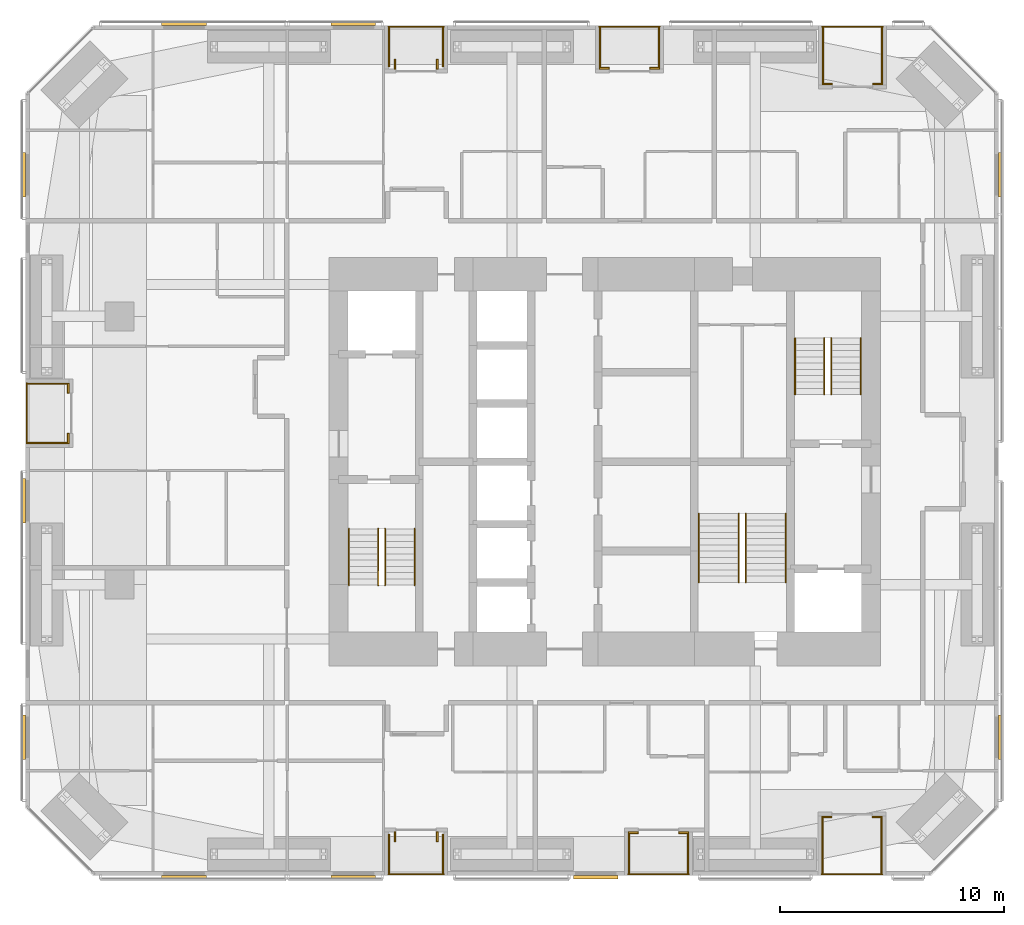
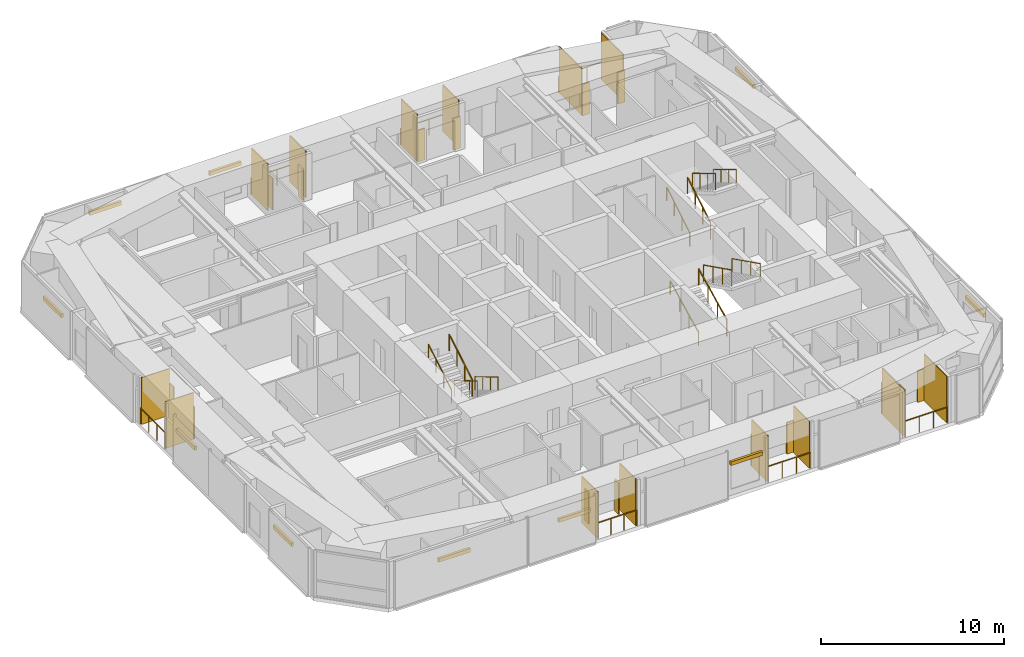
# One storey, part 25 of 25: 38 shading devices, 19 railings.
"""IFC4 building model written with IfcOpenShell, lengths in metres."""

from ifc_helpers import new_model, si_unit, direction, frame, origin, origin_2d, place, context, subcontext, project, spatial, rectangle, circle, extrude, material, layer, layer_set, constituent, constituent_set, type_object, element, save


model = new_model("IFC4")

# Units and contexts
model_context = context("Model", 3, precision=1e-05, world=origin(), true_north=direction((0.0, 1.0)))
body_context = subcontext(model_context, "Body", "Model", "MODEL_VIEW")
ifc_project = project(units=[si_unit("LENGTHUNIT", "METRE"), si_unit("AREAUNIT", "SQUARE_METRE"), si_unit("VOLUMEUNIT", "CUBIC_METRE"), si_unit("PLANEANGLEUNIT", "RADIAN"), si_unit("MASSUNIT", "GRAM", prefix="KILO")], contexts=[model_context])

# Site, building, storey
site_placement = place(None, origin())
site = spatial("IfcSite", under=ifc_project, at=site_placement, CompositionType="ELEMENT")
building_placement = place(site_placement, origin())
building = spatial("IfcBuilding", under=site, at=building_placement, Name="Jalousie Tower", CompositionType="ELEMENT")
storey_placement = place(building_placement, frame((0.0, 0.0, 94.800048828125)))
storey = spatial("IfcBuildingStorey", under=building, at=storey_placement, Name="L25", CompositionType="ELEMENT", Elevation=94.800048828125)

# Shading devices
ifc_material_1 = material(Name="Aluminium impact-rated louvred storm shutter", Category="aluminium")
shading_device_type_1 = type_object("IfcShadingDeviceType", Name="BI-FOLD STORM SHUTTER 900x2100", PredefinedType="SHUTTER", material=ifc_material_1)
for number, where, z_axis, x_axis, name in (
    (1, (22.5224609375, 1.72509765625, 0.0), (0.0, 0.0, 1.0), (0.0, 1.0, 0.0), "Loggia storm shutter L25"),
    (2, (24.402587890625, 1.72509765625, 0.0), (0.0, 0.0, 1.0), (0.0, 1.0, 0.0), "Loggia storm shutter L25"),
    (3, (33.175048828125, 1.909912109375, 0.0), (0.0, 0.0, 1.0), (1.0, 0.0, 0.0), "Loggia storm shutter L25"),
    (4, (35.425048828125, 1.909912109375, 0.0), (0.0, 0.0, 1.0), (1.0, 0.0, 0.0), "Loggia storm shutter L25"),
    (5, (41.824951171875, 2.610107421875, 0.0), (0.0, 0.0, 1.0), (1.0, 0.0, 0.0), "Loggia storm shutter L25"),
    (6, (44.074951171875, 2.610107421875, 0.0), (0.0, 0.0, 1.0), (1.0, 0.0, 0.0), "Loggia storm shutter L25"),
    (7, (44.0986328125, 35.389892578125, 0.0), (0.0, 0.0, 1.0), (-1.0, 0.0, 0.0), "Loggia storm shutter L25"),
    (8, (41.8486328125, 35.389892578125, 0.0), (0.0, 0.0, 1.0), (-1.0, 0.0, 0.0), "Loggia storm shutter L25"),
    (9, (34.125, 36.090087890625, 0.0), (0.0, 0.0, 1.0), (-1.0, 0.0, 0.0), "Loggia storm shutter L25"),
    (10, (31.875, 36.090087890625, 0.0), (0.0, 0.0, 1.0), (-1.0, 0.0, 0.0), "Loggia storm shutter L25"),
    (11, (24.402587890625, 36.27490234375, 0.0), (0.0, 0.0, 1.0), (0.0, -1.0, 0.0), "Loggia storm shutter L25"),
    (12, (22.5224609375, 36.27490234375, 0.0), (0.0, 0.0, 1.0), (0.0, -1.0, 0.0), "Loggia storm shutter L25"),
    (13, (7.909912109375, 21.78759765625, 0.0), (0.0, 0.0, 1.0), (0.0, -1.0, 0.0), "Loggia storm shutter L25"),
    (14, (7.909912109375, 19.53759765625, 0.0), (0.0, 0.0, 1.0), (0.0, -1.0, 0.0), "Loggia storm shutter L25"),
):
    element("IfcShadingDevice", number, at=place(storey_placement, frame(where, z_axis=z_axis, x_axis=x_axis)), inside=storey, type_object=shading_device_type_1, Name=name, PredefinedType="SHUTTER", context=body_context, shape_type="SweptSolid", body=[
        extrude(rectangle(XDim=0.449951171875, YDim=0.080078125, at=origin_2d()), origin(), (0.0, 0.0, 1.0), 2.10009765625),
    ])

# Railings
ifc_material_2 = material(Name="Powder-coated aluminium fretwork", Category="aluminium")
railing_type_1 = type_object("IfcRailingType", Name="FRETWORK BALUSTRADE 1100", PredefinedType="BALUSTRADE", material=ifc_material_2)
railing_1_placement = place(storey_placement, frame((22.22509765625, 0.050048828125, 0.0)))
element("IfcRailing", 15, at=railing_1_placement, inside=storey, type_object=railing_type_1, Name="Loggia fretwork balustrade L25", PredefinedType="BALUSTRADE", context=body_context, shape_type="SweptSolid", body=[
    extrude(rectangle(XDim=0.048095703125, YDim=0.048095703125, at=origin_2d()), frame((0.0, 0.0, 1.076171875), z_axis=(1.0, 0.0, 0.0), x_axis=(0.0, 1.0, 0.0)), (0.0, 0.0, 1.0), 2.474853515625),
    extrude(circle(Radius=0.02099609375, at=origin_2d()), origin(), (0.0, 0.0, 1.0), 1.052001953125),
    extrude(circle(Radius=0.02099609375, at=origin_2d()), frame((0.824951171875, 0.0, 0.0)), (0.0, 0.0, 1.0), 1.052001953125),
    extrude(circle(Radius=0.02099609375, at=origin_2d()), frame((1.64990234375, 0.0, 0.0)), (0.0, 0.0, 1.0), 1.052001953125),
    extrude(circle(Radius=0.02099609375, at=origin_2d()), frame((2.474853515625, 0.0, 0.0)), (0.0, 0.0, 1.0), 1.052001953125),
])
for number, where, name in (
    (16, (32.949951171875, 0.050048828125, 0.0), "Loggia fretwork balustrade L25"),
    (17, (41.60009765625, 0.050048828125, 0.0), "Loggia fretwork balustrade L25"),
):
    element("IfcRailing", number, at=place(storey_placement, frame(where)), inside=storey, type_object=railing_type_1, Name=name, PredefinedType="BALUSTRADE", context=body_context, shape_type="SweptSolid", body=[
        extrude(rectangle(XDim=0.048095703125, YDim=0.048095703125, at=origin_2d()), frame((0.0, 0.0, 1.076171875), z_axis=(1.0, 0.0, 0.0), x_axis=(0.0, 1.0, 0.0)), (0.0, 0.0, 1.0), 2.699951171875),
        extrude(circle(Radius=0.02099609375, at=origin_2d()), origin(), (0.0, 0.0, 1.0), 1.052001953125),
        extrude(circle(Radius=0.02099609375, at=origin_2d()), frame((0.89990234375, 0.0, 0.0)), (0.0, 0.0, 1.0), 1.052001953125),
        extrude(circle(Radius=0.02099609375, at=origin_2d()), frame((1.800048828125, 0.0, 0.0)), (0.0, 0.0, 1.0), 1.052001953125),
        extrude(circle(Radius=0.02099609375, at=origin_2d()), frame((2.699951171875, 0.0, 0.0)), (0.0, 0.0, 1.0), 1.052001953125),
    ])
railing_2_placement = place(storey_placement, frame((44.32373046875, 37.949951171875, 0.0)))
element("IfcRailing", 18, at=railing_2_placement, inside=storey, type_object=railing_type_1, Name="Loggia fretwork balustrade L25", PredefinedType="BALUSTRADE", context=body_context, shape_type="SweptSolid", body=[
    extrude(rectangle(XDim=0.048095703125, YDim=0.048095703125, at=origin_2d()), frame((0.0, 0.0, 1.076171875), z_axis=(-1.0, 0.0, 0.0), x_axis=(0.0, -1.0, 0.0)), (0.0, 0.0, 1.0), 2.699951171875),
    extrude(circle(Radius=0.02099609375, at=origin_2d()), origin(), (0.0, 0.0, 1.0), 1.052001953125),
    extrude(circle(Radius=0.02099609375, at=origin_2d()), frame((-0.89990234375, 0.0, 0.0)), (0.0, 0.0, 1.0), 1.052001953125),
    extrude(circle(Radius=0.02099609375, at=origin_2d()), frame((-1.800048828125, 0.0, 0.0)), (0.0, 0.0, 1.0), 1.052001953125),
    extrude(circle(Radius=0.02099609375, at=origin_2d()), frame((-2.699951171875, 0.0, 0.0)), (0.0, 0.0, 1.0), 1.052001953125),
])
railing_3_placement = place(storey_placement, frame((34.35009765625, 37.949951171875, 0.0)))
element("IfcRailing", 19, at=railing_3_placement, inside=storey, type_object=railing_type_1, Name="Loggia fretwork balustrade L25", PredefinedType="BALUSTRADE", context=body_context, shape_type="SweptSolid", body=[
    extrude(rectangle(XDim=0.048095703125, YDim=0.048095703125, at=origin_2d()), frame((0.0, 0.0, 1.076171875), z_axis=(-1.0, 0.0, 0.0), x_axis=(0.0, -1.0, 0.0)), (0.0, 0.0, 1.0), 2.7001953125),
    extrude(circle(Radius=0.02099609375, at=origin_2d()), origin(), (0.0, 0.0, 1.0), 1.052001953125),
    extrude(circle(Radius=0.02099609375, at=origin_2d()), frame((-0.900146484375, 0.0, 0.0)), (0.0, 0.0, 1.0), 1.052001953125),
    extrude(circle(Radius=0.02099609375, at=origin_2d()), frame((-1.800048828125, 0.0, 0.0)), (0.0, 0.0, 1.0), 1.052001953125),
    extrude(circle(Radius=0.02099609375, at=origin_2d()), frame((-2.7001953125, 0.0, 0.0)), (0.0, 0.0, 1.0), 1.052001953125),
])
railing_4_placement = place(storey_placement, frame((24.699951171875, 37.949951171875, 0.0)))
element("IfcRailing", 20, at=railing_4_placement, inside=storey, type_object=railing_type_1, Name="Loggia fretwork balustrade L25", PredefinedType="BALUSTRADE", context=body_context, shape_type="SweptSolid", body=[
    extrude(rectangle(XDim=0.048095703125, YDim=0.048095703125, at=origin_2d()), frame((0.0, 0.0, 1.076171875), z_axis=(-1.0, 0.0, 0.0), x_axis=(0.0, -1.0, 0.0)), (0.0, 0.0, 1.0), 2.474853515625),
    extrude(circle(Radius=0.02099609375, at=origin_2d()), origin(), (0.0, 0.0, 1.0), 1.052001953125),
    extrude(circle(Radius=0.02099609375, at=origin_2d()), frame((-0.824951171875, 0.0, 0.0)), (0.0, 0.0, 1.0), 1.052001953125),
    extrude(circle(Radius=0.02099609375, at=origin_2d()), frame((-1.64990234375, 0.0, 0.0)), (0.0, 0.0, 1.0), 1.052001953125),
    extrude(circle(Radius=0.02099609375, at=origin_2d()), frame((-2.474853515625, 0.0, 0.0)), (0.0, 0.0, 1.0), 1.052001953125),
])
railing_5_placement = place(storey_placement, frame((6.050048828125, 22.012451171875, 0.0)))
element("IfcRailing", 21, at=railing_5_placement, inside=storey, type_object=railing_type_1, Name="Loggia fretwork balustrade L25", PredefinedType="BALUSTRADE", context=body_context, shape_type="SweptSolid", body=[
    extrude(rectangle(XDim=0.048095703125, YDim=0.048095703125, at=origin_2d()), frame((0.0, 0.0, 1.076171875), z_axis=(0.0, -1.0, 0.0), x_axis=(1.0, 0.0, 0.0)), (0.0, 0.0, 1.0), 2.699951171875),
    extrude(circle(Radius=0.02099609375, at=origin_2d()), origin(), (0.0, 0.0, 1.0), 1.052001953125),
    extrude(circle(Radius=0.02099609375, at=origin_2d()), frame((0.0, -0.89990234375, 0.0)), (0.0, 0.0, 1.0), 1.052001953125),
    extrude(circle(Radius=0.02099609375, at=origin_2d()), frame((0.0, -1.800048828125, 0.0)), (0.0, 0.0, 1.0), 1.052001953125),
    extrude(circle(Radius=0.02099609375, at=origin_2d()), frame((0.0, -2.699951171875, 0.0)), (0.0, 0.0, 1.0), 1.052001953125),
])

# Shading devices
ifc_material_3 = material(Name="Powder-coated aluminium louvres", Category="aluminium")
ifc_layer = layer(ifc_material_3, 0.06005859375)
ifc_layer_set = layer_set([ifc_layer], Name="Powder-coated aluminium louvres")
shading_device_type_2 = type_object("IfcShadingDeviceType", Name="JALOUSIE LOUVRE SCREEN", PredefinedType="JALOUSIE", material=ifc_layer_set)
for number, where, z_axis, x_axis, name in (
    (22, (22.2548828125, 0.97509765625, 0.0), (0.0, 0.0, 1.0), (1.0, 0.0, 0.0), "Loggia jalousie louvre screen L25"),
    (23, (24.669921875, 0.97509765625, 0.0), (0.0, 0.0, 1.0), (1.0, 0.0, 0.0), "Loggia jalousie louvre screen L25"),
    (24, (32.97998046875, 0.97509765625, 0.0), (0.0, 0.0, 1.0), (1.0, 0.0, 0.0), "Loggia jalousie louvre screen L25"),
    (25, (35.6201171875, 0.97509765625, 0.0), (0.0, 0.0, 1.0), (1.0, 0.0, 0.0), "Loggia jalousie louvre screen L25"),
):
    element("IfcShadingDevice", number, at=place(storey_placement, frame(where, z_axis=z_axis, x_axis=x_axis)), inside=storey, type_object=shading_device_type_2, Name=name, PredefinedType="JALOUSIE", context=body_context, shape_type="SweptSolid", body=[
        extrude(rectangle(XDim=0.06005859375, YDim=1.75, at=origin_2d()), origin(), (0.0, 0.0, 1.0), 3.110107421875),
    ])
for number, where, z_axis, x_axis, name in (
    (26, (41.6298828125, 1.324951171875, 0.0), (0.0, 0.0, 1.0), (1.0, 0.0, 0.0), "Loggia jalousie louvre screen L25"),
    (27, (44.27001953125, 1.324951171875, 0.0), (0.0, 0.0, 1.0), (1.0, 0.0, 0.0), "Loggia jalousie louvre screen L25"),
    (28, (44.293701171875, 36.675048828125, 0.0), (0.0, 0.0, 1.0), (-1.0, 0.0, 0.0), "Loggia jalousie louvre screen L25"),
    (29, (41.65380859375, 36.675048828125, 0.0), (0.0, 0.0, 1.0), (-1.0, 0.0, 0.0), "Loggia jalousie louvre screen L25"),
):
    element("IfcShadingDevice", number, at=place(storey_placement, frame(where, z_axis=z_axis, x_axis=x_axis)), inside=storey, type_object=shading_device_type_2, Name=name, PredefinedType="JALOUSIE", context=body_context, shape_type="SweptSolid", body=[
        extrude(rectangle(XDim=0.06005859375, YDim=2.449951171875, at=origin_2d()), origin(), (0.0, 0.0, 1.0), 3.110107421875),
    ])
for number, where, z_axis, x_axis, name in (
    (30, (34.320068359375, 37.02490234375, 0.0), (0.0, 0.0, 1.0), (-1.0, 0.0, 0.0), "Loggia jalousie louvre screen L25"),
    (31, (31.679931640625, 37.02490234375, 0.0), (0.0, 0.0, 1.0), (-1.0, 0.0, 0.0), "Loggia jalousie louvre screen L25"),
    (32, (24.669921875, 37.02490234375, 0.0), (0.0, 0.0, 1.0), (-1.0, 0.0, 0.0), "Loggia jalousie louvre screen L25"),
    (33, (22.2548828125, 37.02490234375, 0.0), (0.0, 0.0, 1.0), (-1.0, 0.0, 0.0), "Loggia jalousie louvre screen L25"),
    (34, (6.97509765625, 21.982421875, 0.0), (0.0, 0.0, 1.0), (0.0, -1.0, 0.0), "Loggia jalousie louvre screen L25"),
    (35, (6.97509765625, 19.342529296875, 0.0), (0.0, 0.0, 1.0), (0.0, -1.0, 0.0), "Loggia jalousie louvre screen L25"),
):
    element("IfcShadingDevice", number, at=place(storey_placement, frame(where, z_axis=z_axis, x_axis=x_axis)), inside=storey, type_object=shading_device_type_2, Name=name, PredefinedType="JALOUSIE", context=body_context, shape_type="SweptSolid", body=[
        extrude(rectangle(XDim=0.06005859375, YDim=1.75, at=origin_2d()), origin(), (0.0, 0.0, 1.0), 3.110107421875),
    ])

# Railings
ifc_material_4 = material(Name="Steel ASTM A500 Grade C", Category="steel")
ifc_constituent_1 = constituent(ifc_material_4, Name="Body")
ifc_material_5 = material(Name="Hot-dip galvanised zinc coating")
ifc_constituent_2 = constituent(ifc_material_5, Name="Finish")
ifc_constituent_set_1 = constituent_set(constituents=[ifc_constituent_1, ifc_constituent_2])
railing_type_2 = type_object("IfcRailingType", Name="STAIR GUARD 1100", PredefinedType="GUARDRAIL", material=ifc_constituent_set_1)
railing_6_placement = place(storey_placement, frame((22.080078125, 15.49755859375, 0.16748046875)))
element("IfcRailing", 36, at=railing_6_placement, inside=storey, type_object=railing_type_2, Name="Exit stair A guard L25 flight 1", PredefinedType="GUARDRAIL", context=body_context, shape_type="SweptSolid", body=[
    extrude(rectangle(XDim=0.048095703125, YDim=0.048095703125, at=origin_2d()), frame((0.0, 0.0, 1.076171875), z_axis=(0.0, -0.858159760407, 0.513382728203), x_axis=(1.0, 0.0, 0.0)), (0.0, 0.0, 1.0), 2.9365234375),
    extrude(circle(Radius=0.02099609375, at=origin_2d()), origin(), (0.0, 0.0, 1.0), 1.052001953125),
    extrude(circle(Radius=0.02099609375, at=origin_2d()), frame((0.0, -0.840087890625, 0.50244140625)), (0.0, 0.0, 1.0), 1.052001953125),
    extrude(circle(Radius=0.02099609375, at=origin_2d()), frame((0.0, -1.679931640625, 1.005126953125)), (0.0, 0.0, 1.0), 1.052001953125),
    extrude(circle(Radius=0.02099609375, at=origin_2d()), frame((0.0, -2.52001953125, 1.507568359375)), (0.0, 0.0, 1.0), 1.052001953125),
])
railing_7_placement = place(storey_placement, frame((21.77001953125, 12.9775390625, 1.842529296875)))
element("IfcRailing", 37, at=railing_7_placement, inside=storey, type_object=railing_type_2, Name="Exit stair A guard L25 flight 2", PredefinedType="GUARDRAIL", context=body_context, shape_type="SweptSolid", body=[
    extrude(rectangle(XDim=0.048095703125, YDim=0.048095703125, at=origin_2d()), frame((0.0, 0.0, 1.076171875), z_axis=(0.0, 0.858196387827, 0.513321497621), x_axis=(-1.0, 0.0, 0.0)), (0.0, 0.0, 1.0), 2.9365234375),
    extrude(circle(Radius=0.02099609375, at=origin_2d()), origin(), (0.0, 0.0, 1.0), 1.052001953125),
    extrude(circle(Radius=0.02099609375, at=origin_2d()), frame((0.0, 0.840087890625, 0.50244140625)), (0.0, 0.0, 1.0), 1.052001953125),
    extrude(circle(Radius=0.02099609375, at=origin_2d()), frame((0.0, 1.679931640625, 1.0048828125)), (0.0, 0.0, 1.0), 1.052001953125),
    extrude(circle(Radius=0.02099609375, at=origin_2d()), frame((0.0, 2.52001953125, 1.50732421875)), (0.0, 0.0, 1.0), 1.052001953125),
])
railing_8_placement = place(storey_placement, frame((41.719970703125, 21.50244140625, 0.16748046875)))
element("IfcRailing", 38, at=railing_8_placement, inside=storey, type_object=railing_type_2, Name="Exit stair B guard L25 flight 1", PredefinedType="GUARDRAIL", context=body_context, shape_type="SweptSolid", body=[
    extrude(rectangle(XDim=0.048095703125, YDim=0.048095703125, at=origin_2d()), frame((0.0, 0.0, 1.076171875), z_axis=(0.0, 0.858159760407, 0.513382728203), x_axis=(-1.0, 0.0, 0.0)), (0.0, 0.0, 1.0), 2.9365234375),
    extrude(circle(Radius=0.02099609375, at=origin_2d()), origin(), (0.0, 0.0, 1.0), 1.052001953125),
    extrude(circle(Radius=0.02099609375, at=origin_2d()), frame((0.0, 0.840087890625, 0.50244140625)), (0.0, 0.0, 1.0), 1.052001953125),
    extrude(circle(Radius=0.02099609375, at=origin_2d()), frame((0.0, 1.679931640625, 1.005126953125)), (0.0, 0.0, 1.0), 1.052001953125),
    extrude(circle(Radius=0.02099609375, at=origin_2d()), frame((0.0, 2.52001953125, 1.507568359375)), (0.0, 0.0, 1.0), 1.052001953125),
])
railing_9_placement = place(storey_placement, frame((42.030029296875, 24.0224609375, 1.842529296875)))
element("IfcRailing", 39, at=railing_9_placement, inside=storey, type_object=railing_type_2, Name="Exit stair B guard L25 flight 2", PredefinedType="GUARDRAIL", context=body_context, shape_type="SweptSolid", body=[
    extrude(rectangle(XDim=0.048095703125, YDim=0.048095703125, at=origin_2d()), frame((0.0, 0.0, 1.076171875), z_axis=(0.0, -0.858196387827, 0.513321497621), x_axis=(1.0, 0.0, 0.0)), (0.0, 0.0, 1.0), 2.9365234375),
    extrude(circle(Radius=0.02099609375, at=origin_2d()), origin(), (0.0, 0.0, 1.0), 1.052001953125),
    extrude(circle(Radius=0.02099609375, at=origin_2d()), frame((0.0, -0.840087890625, 0.50244140625)), (0.0, 0.0, 1.0), 1.052001953125),
    extrude(circle(Radius=0.02099609375, at=origin_2d()), frame((0.0, -1.679931640625, 1.0048828125)), (0.0, 0.0, 1.0), 1.052001953125),
    extrude(circle(Radius=0.02099609375, at=origin_2d()), frame((0.0, -2.52001953125, 1.50732421875)), (0.0, 0.0, 1.0), 1.052001953125),
])
railing_10_placement = place(storey_placement, frame((37.89501953125, 13.097412109375, 0.1396484375)))
element("IfcRailing", 40, at=railing_10_placement, inside=storey, type_object=railing_type_2, Name="Exit stair C guard L25 flight 1", PredefinedType="GUARDRAIL", context=body_context, shape_type="SweptSolid", body=[
    extrude(rectangle(XDim=0.048095703125, YDim=0.048095703125, at=origin_2d()), frame((0.0, 0.0, 1.076171875), z_axis=(0.0, 0.894965676997, 0.446134998624), x_axis=(-1.0, 0.0, 0.0)), (0.0, 0.0, 1.0), 3.441650390625),
    extrude(circle(Radius=0.02099609375, at=origin_2d()), origin(), (0.0, 0.0, 1.0), 1.052001953125),
    extrude(circle(Radius=0.02099609375, at=origin_2d()), frame((0.0, 1.026611328125, 0.51171875)), (0.0, 0.0, 1.0), 1.052001953125),
    extrude(circle(Radius=0.02099609375, at=origin_2d()), frame((0.0, 2.053466796875, 1.023681640625)), (0.0, 0.0, 1.0), 1.052001953125),
    extrude(circle(Radius=0.02099609375, at=origin_2d()), frame((0.0, 3.080078125, 1.535400390625)), (0.0, 0.0, 1.0), 1.052001953125),
])
railing_11_placement = place(storey_placement, frame((38.205078125, 16.177490234375, 1.814453125)))
element("IfcRailing", 41, at=railing_11_placement, inside=storey, type_object=railing_type_2, Name="Exit stair C guard L25 flight 2", PredefinedType="GUARDRAIL", context=body_context, shape_type="SweptSolid", body=[
    extrude(rectangle(XDim=0.048095703125, YDim=0.048095703125, at=origin_2d()), frame((0.0, 0.0, 1.076171875), z_axis=(0.0, -0.894965676997, 0.446134998624), x_axis=(1.0, 0.0, 0.0)), (0.0, 0.0, 1.0), 3.441650390625),
    extrude(circle(Radius=0.02099609375, at=origin_2d()), origin(), (0.0, 0.0, 1.0), 1.052001953125),
    extrude(circle(Radius=0.02099609375, at=origin_2d()), frame((0.0, -1.026611328125, 0.51171875)), (0.0, 0.0, 1.0), 1.052001953125),
    extrude(circle(Radius=0.02099609375, at=origin_2d()), frame((0.0, -2.053466796875, 1.023681640625)), (0.0, 0.0, 1.0), 1.052001953125),
    extrude(circle(Radius=0.02099609375, at=origin_2d()), frame((0.0, -3.080078125, 1.535400390625)), (0.0, 0.0, 1.0), 1.052001953125),
])
ifc_material_6 = material(Name="Steel ASTM A500 Grade C", Category="steel")
ifc_constituent_3 = constituent(ifc_material_6, Name="Body")
ifc_material_7 = material(Name="Hot-dip galvanised zinc coating")
ifc_constituent_4 = constituent(ifc_material_7, Name="Finish")
ifc_constituent_set_2 = constituent_set(constituents=[ifc_constituent_3, ifc_constituent_4])
railing_type_3 = type_object("IfcRailingType", Name="STAIR HANDRAIL 900", PredefinedType="HANDRAIL", material=ifc_constituent_set_2)
railing_12_placement = place(storey_placement, frame((23.39501953125, 15.49755859375, 0.16748046875)))
element("IfcRailing", 42, at=railing_12_placement, inside=storey, type_object=railing_type_3, Name="Exit stair A handrail L25 flight 1", PredefinedType="HANDRAIL", context=body_context, shape_type="SweptSolid", body=[
    extrude(circle(Radius=0.02392578125, at=origin_2d()), frame((0.0, 0.0, 0.8759765625), z_axis=(0.0, -0.858159760407, 0.513382728203), x_axis=(1.0, 0.0, 0.0)), (0.0, 0.0, 1.0), 2.9365234375),
    extrude(circle(Radius=0.02099609375, at=origin_2d()), origin(), (0.0, 0.0, 1.0), 0.851806640625),
    extrude(circle(Radius=0.02099609375, at=origin_2d()), frame((0.0, -0.840087890625, 0.50244140625)), (0.0, 0.0, 1.0), 0.851806640625),
    extrude(circle(Radius=0.02099609375, at=origin_2d()), frame((0.0, -1.679931640625, 1.005126953125)), (0.0, 0.0, 1.0), 0.851806640625),
    extrude(circle(Radius=0.02099609375, at=origin_2d()), frame((0.0, -2.52001953125, 1.507568359375)), (0.0, 0.0, 1.0), 0.851806640625),
])
railing_13_placement = place(storey_placement, frame((20.455078125, 12.9775390625, 1.842529296875)))
element("IfcRailing", 43, at=railing_13_placement, inside=storey, type_object=railing_type_3, Name="Exit stair A handrail L25 flight 2", PredefinedType="HANDRAIL", context=body_context, shape_type="SweptSolid", body=[
    extrude(circle(Radius=0.02392578125, at=origin_2d()), frame((0.0, 0.0, 0.8759765625), z_axis=(0.0, 0.858196387827, 0.513321497621), x_axis=(-1.0, 0.0, 0.0)), (0.0, 0.0, 1.0), 2.9365234375),
    extrude(circle(Radius=0.02099609375, at=origin_2d()), origin(), (0.0, 0.0, 1.0), 0.851806640625),
    extrude(circle(Radius=0.02099609375, at=origin_2d()), frame((0.0, 0.840087890625, 0.50244140625)), (0.0, 0.0, 1.0), 0.851806640625),
    extrude(circle(Radius=0.02099609375, at=origin_2d()), frame((0.0, 1.679931640625, 1.0048828125)), (0.0, 0.0, 1.0), 0.851806640625),
    extrude(circle(Radius=0.02099609375, at=origin_2d()), frame((0.0, 2.52001953125, 1.50732421875)), (0.0, 0.0, 1.0), 0.851806640625),
])
railing_14_placement = place(storey_placement, frame((40.405029296875, 21.50244140625, 0.16748046875)))
element("IfcRailing", 44, at=railing_14_placement, inside=storey, type_object=railing_type_3, Name="Exit stair B handrail L25 flight 1", PredefinedType="HANDRAIL", context=body_context, shape_type="SweptSolid", body=[
    extrude(circle(Radius=0.02392578125, at=origin_2d()), frame((0.0, 0.0, 0.8759765625), z_axis=(0.0, 0.858159760407, 0.513382728203), x_axis=(-1.0, 0.0, 0.0)), (0.0, 0.0, 1.0), 2.9365234375),
    extrude(circle(Radius=0.02099609375, at=origin_2d()), origin(), (0.0, 0.0, 1.0), 0.851806640625),
    extrude(circle(Radius=0.02099609375, at=origin_2d()), frame((0.0, 0.840087890625, 0.50244140625)), (0.0, 0.0, 1.0), 0.851806640625),
    extrude(circle(Radius=0.02099609375, at=origin_2d()), frame((0.0, 1.679931640625, 1.005126953125)), (0.0, 0.0, 1.0), 0.851806640625),
    extrude(circle(Radius=0.02099609375, at=origin_2d()), frame((0.0, 2.52001953125, 1.507568359375)), (0.0, 0.0, 1.0), 0.851806640625),
])
railing_15_placement = place(storey_placement, frame((43.344970703125, 24.0224609375, 1.842529296875)))
element("IfcRailing", 45, at=railing_15_placement, inside=storey, type_object=railing_type_3, Name="Exit stair B handrail L25 flight 2", PredefinedType="HANDRAIL", context=body_context, shape_type="SweptSolid", body=[
    extrude(circle(Radius=0.02392578125, at=origin_2d()), frame((0.0, 0.0, 0.8759765625), z_axis=(0.0, -0.858196387827, 0.513321497621), x_axis=(1.0, 0.0, 0.0)), (0.0, 0.0, 1.0), 2.9365234375),
    extrude(circle(Radius=0.02099609375, at=origin_2d()), origin(), (0.0, 0.0, 1.0), 0.851806640625),
    extrude(circle(Radius=0.02099609375, at=origin_2d()), frame((0.0, -0.840087890625, 0.50244140625)), (0.0, 0.0, 1.0), 0.851806640625),
    extrude(circle(Radius=0.02099609375, at=origin_2d()), frame((0.0, -1.679931640625, 1.0048828125)), (0.0, 0.0, 1.0), 0.851806640625),
    extrude(circle(Radius=0.02099609375, at=origin_2d()), frame((0.0, -2.52001953125, 1.50732421875)), (0.0, 0.0, 1.0), 0.851806640625),
])
railing_16_placement = place(storey_placement, frame((36.10498046875, 13.097412109375, 0.1396484375)))
element("IfcRailing", 46, at=railing_16_placement, inside=storey, type_object=railing_type_3, Name="Exit stair C handrail L25 flight 1", PredefinedType="HANDRAIL", context=body_context, shape_type="SweptSolid", body=[
    extrude(circle(Radius=0.02392578125, at=origin_2d()), frame((0.0, 0.0, 0.8759765625), z_axis=(0.0, 0.894965676997, 0.446134998624), x_axis=(-1.0, 0.0, 0.0)), (0.0, 0.0, 1.0), 3.441650390625),
    extrude(circle(Radius=0.02099609375, at=origin_2d()), origin(), (0.0, 0.0, 1.0), 0.851806640625),
    extrude(circle(Radius=0.02099609375, at=origin_2d()), frame((0.0, 1.026611328125, 0.51171875)), (0.0, 0.0, 1.0), 0.851806640625),
    extrude(circle(Radius=0.02099609375, at=origin_2d()), frame((0.0, 2.053466796875, 1.023681640625)), (0.0, 0.0, 1.0), 0.851806640625),
    extrude(circle(Radius=0.02099609375, at=origin_2d()), frame((0.0, 3.080078125, 1.535400390625)), (0.0, 0.0, 1.0), 0.851806640625),
])
railing_17_placement = place(storey_placement, frame((39.9951171875, 16.177490234375, 1.814453125)))
element("IfcRailing", 47, at=railing_17_placement, inside=storey, type_object=railing_type_3, Name="Exit stair C handrail L25 flight 2", PredefinedType="HANDRAIL", context=body_context, shape_type="SweptSolid", body=[
    extrude(circle(Radius=0.02392578125, at=origin_2d()), frame((0.0, 0.0, 0.8759765625), z_axis=(0.0, -0.894965676997, 0.446134998624), x_axis=(1.0, 0.0, 0.0)), (0.0, 0.0, 1.0), 3.441650390625),
    extrude(circle(Radius=0.02099609375, at=origin_2d()), origin(), (0.0, 0.0, 1.0), 0.851806640625),
    extrude(circle(Radius=0.02099609375, at=origin_2d()), frame((0.0, -1.026611328125, 0.51171875)), (0.0, 0.0, 1.0), 0.851806640625),
    extrude(circle(Radius=0.02099609375, at=origin_2d()), frame((0.0, -2.053466796875, 1.023681640625)), (0.0, 0.0, 1.0), 0.851806640625),
    extrude(circle(Radius=0.02099609375, at=origin_2d()), frame((0.0, -3.080078125, 1.535400390625)), (0.0, 0.0, 1.0), 0.851806640625),
])

# Shading devices
ifc_material_8 = material(Name="Aluminium roller storm shutter", Category="aluminium")
shading_device_type_3 = type_object("IfcShadingDeviceType", Name="STORM SHUTTER HOUSING", PredefinedType="SHUTTER", material=ifc_material_8)
for number, where, z_axis, x_axis, name in (
    (48, (13.0849609375, -0.074951171875, 2.099853515625), (0.0, 0.0, 1.0), (1.0, 0.0, 0.0), "Storm shutter L25"),
    (49, (20.657470703125, -0.074951171875, 2.099853515625), (0.0, 0.0, 1.0), (1.0, 0.0, 0.0), "Storm shutter L25"),
    (50, (31.5, -0.074951171875, 2.099853515625), (0.0, 0.0, 1.0), (1.0, 0.0, 0.0), "Storm shutter L25"),
    (51, (49.574951171875, 6.175537109375, 2.099853515625), (0.0, 0.0, 1.0), (0.0, 1.0, 0.0), "Storm shutter L25"),
    (52, (49.574951171875, 31.324462890625, 2.099853515625), (0.0, 0.0, 1.0), (0.0, 1.0, 0.0), "Storm shutter L25"),
    (53, (20.657470703125, 38.074951171875, 2.099853515625), (0.0, 0.0, 1.0), (-1.0, 0.0, 0.0), "Storm shutter L25"),
    (54, (13.0849609375, 38.074951171875, 2.099853515625), (0.0, 0.0, 1.0), (-1.0, 0.0, 0.0), "Storm shutter L25"),
    (55, (5.925048828125, 31.324462890625, 2.099853515625), (0.0, 0.0, 1.0), (0.0, -1.0, 0.0), "Storm shutter L25"),
    (56, (5.925048828125, 16.75634765625, 2.099853515625), (0.0, 0.0, 1.0), (0.0, -1.0, 0.0), "Storm shutter L25"),
    (57, (5.925048828125, 6.17529296875, 2.099853515625), (0.0, 0.0, 1.0), (0.0, -1.0, 0.0), "Storm shutter L25"),
):
    element("IfcShadingDevice", number, at=place(storey_placement, frame(where, z_axis=z_axis, x_axis=x_axis)), inside=storey, type_object=shading_device_type_3, Name=name, PredefinedType="SHUTTER", context=body_context, shape_type="SweptSolid", body=[
        extrude(rectangle(XDim=2.0, YDim=0.14990234375, at=origin_2d()), origin(), (0.0, 0.0, 1.0), 0.25),
    ])

save(model, "model.ifc")
